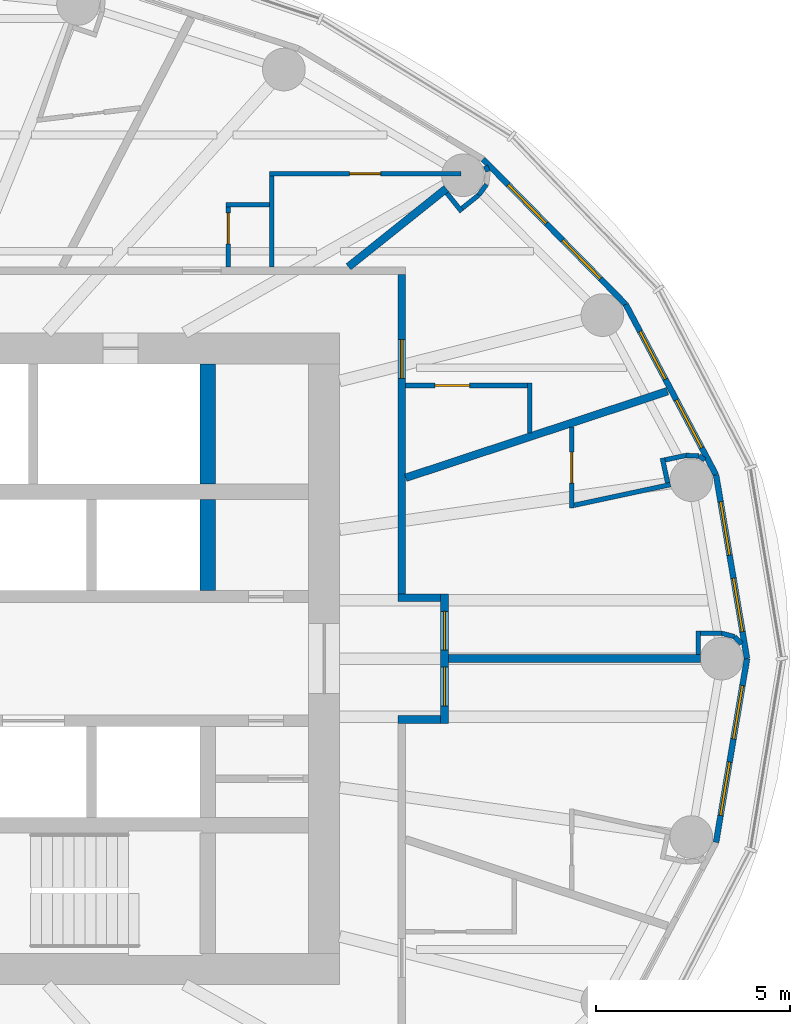
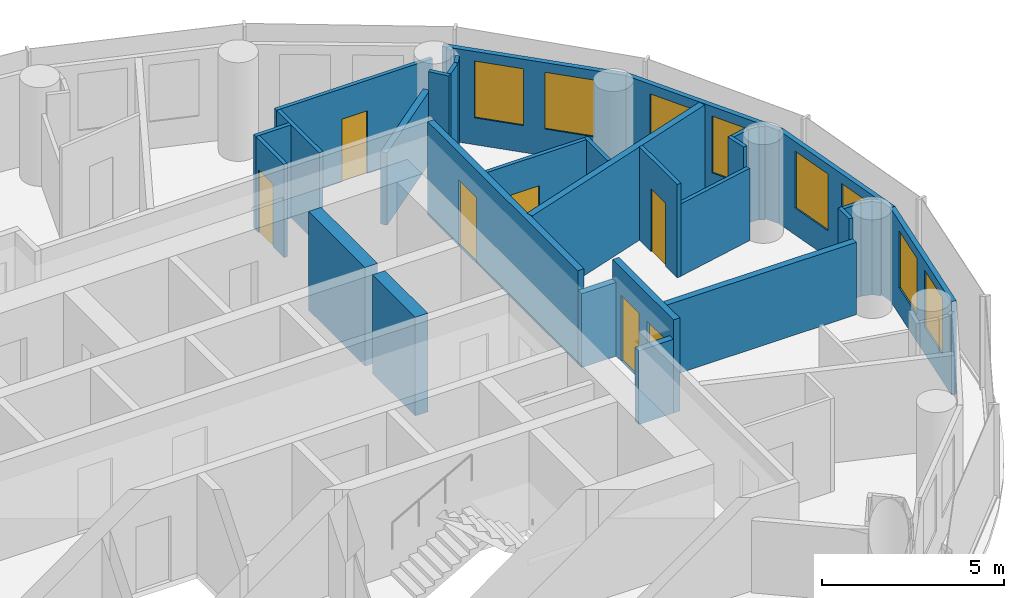
# One storey, part 11 of 16: 33 walls, 8 windows, 7 doors, 15 openings.
"""IFC4 building model written with IfcOpenShell, lengths in metres."""

import ifcopenshell
import ifcopenshell.guid

model = None  # the IFC model being written
_history = None  # IfcOwnerHistory: only IFC2X3 demands one
_inside = {}  # id of a spatial element -> (the spatial element, [elements in it])
_under = {}  # id of a project, library or spatial element -> (it, [spatial elements below it])
_declared = {}  # id of a project -> (the project, [libraries it declares])
_typed = {}  # id of a type object -> (the type object, [elements of that type])
_made_of = {}  # id of a material, layer set ... -> (it, [elements and type objects made of it])


def new_model(schema):
    """Start an empty IFC model of exactly this schema.

    Asked for "IFC4X3", IfcOpenShell would pick the latest addendum, in which some entities
    have other attributes; the version numbers below select the first issue.
    IFC2X3 requires an IfcOwnerHistory on every rooted entity: one is made here for all.
    """
    global model, _history
    if schema == "IFC4X3":
        model = ifcopenshell.file(schema_version=(4, 3, 0, 0))
    else:
        model = ifcopenshell.file(schema=schema)
    _inside.clear()
    _under.clear()
    _declared.clear()
    _typed.clear()
    _made_of.clear()
    _history = None
    if model.schema == "IFC2X3":
        org = make("IfcOrganization", Name="unknown")
        user = make(
            "IfcPersonAndOrganization",
            ThePerson=make("IfcPerson", FamilyName="unknown"),
            TheOrganization=org,
        )
        app = make(
            "IfcApplication",
            ApplicationDeveloper=org,
            Version="unknown",
            ApplicationFullName="unknown",
            ApplicationIdentifier="unknown",
        )
        _history = make(
            "IfcOwnerHistory",
            OwningUser=user,
            OwningApplication=app,
            ChangeAction="ADDED",
            CreationDate=0,
        )
    return model


def make(cls, **values):
    """One entity of the class cls with the attributes given. An attribute that is None is left unset."""
    return model.create_entity(
        cls, **{name: value for name, value in values.items() if value is not None}
    )


def rooted(cls, **values):
    """An entity with a GlobalId (a new one), such as an element, a storey or a relation."""
    return make(cls, GlobalId=ifcopenshell.guid.new(), OwnerHistory=_history, **values)


def si_unit(unit_type, name, prefix=None):
    """IfcSIUnit, for example si_unit("LENGTHUNIT", "METRE", prefix="MILLI")."""
    return make("IfcSIUnit", UnitType=unit_type, Prefix=prefix, Name=name)


def assignment(units):
    """IfcUnitAssignment: the units of a project."""
    return None if units is None else make("IfcUnitAssignment", Units=units)


def point(xyz):
    """IfcCartesianPoint."""
    return None if xyz is None else make("IfcCartesianPoint", Coordinates=xyz)


def direction(xyz):
    """IfcDirection."""
    return None if xyz is None else make("IfcDirection", DirectionRatios=xyz)


def frame(location, z_axis=None, x_axis=None):
    """IfcAxis2Placement3D, a coordinate frame: its origin and axes. An axis left out is left unset."""
    return make(
        "IfcAxis2Placement3D",
        Location=point(location),
        Axis=direction(z_axis),
        RefDirection=direction(x_axis),
    )


def frame_2d(location, x_axis=None):
    """IfcAxis2Placement2D, a coordinate frame in the plane: its origin and x axis."""
    return make(
        "IfcAxis2Placement2D", Location=point(location), RefDirection=direction(x_axis)
    )


def origin():
    """The frame at (0, 0, 0) with its axes left unset."""
    return frame((0.0, 0.0, 0.0))


def place(relative_to, where):
    """IfcLocalPlacement: puts the frame where relative to a parent placement (None: the world)."""
    return make(
        "IfcLocalPlacement", PlacementRelTo=relative_to, RelativePlacement=where
    )


def context(
    kind, dimensions, precision=None, world=None, true_north=None, identifier=None
):
    """IfcGeometricRepresentationContext, for example the 3D "Model" context."""
    return make(
        "IfcGeometricRepresentationContext",
        ContextIdentifier=identifier,
        ContextType=kind,
        CoordinateSpaceDimension=dimensions,
        Precision=precision,
        WorldCoordinateSystem=world,
        TrueNorth=true_north,
    )


def subcontext(parent, identifier, kind, view, scale=None):
    """IfcGeometricRepresentationSubContext, for example "Body" below "Model"."""
    return make(
        "IfcGeometricRepresentationSubContext",
        ContextIdentifier=identifier,
        ContextType=kind,
        ParentContext=parent,
        TargetScale=scale,
        TargetView=view,
    )


def project(units=None, contexts=None):
    """IfcProject with its units and contexts."""
    return rooted(
        "IfcProject",
        Name="project",
        RepresentationContexts=contexts,
        UnitsInContext=assignment(units),
    )


def spatial(cls, under=None, at=None, **own):
    """A site, building, storey or space (cls), placed at a placement, below another one or the project."""
    s = rooted(cls, ObjectPlacement=at, **own)
    if under is not None:
        _under.setdefault(under.id(), (under, []))[1].append(s)
    return s


def profile(cls, at=None, kind="AREA", **sizes):
    """A parametric profile (cls). Its sizes go by their IFC names, for example OverallWidth=200.0."""
    return make(cls, ProfileType=kind, Position=at, **sizes)


def rectangle(**sizes):
    """IfcRectangleProfileDef."""
    return profile("IfcRectangleProfileDef", **sizes)


def extrude(swept, where, along, depth):
    """IfcExtrudedAreaSolid: the profile swept, set in the frame where, extruded along a direction by depth."""
    return make(
        "IfcExtrudedAreaSolid",
        SweptArea=swept,
        Position=where,
        ExtrudedDirection=direction(along),
        Depth=depth,
    )


def shape(context_of_items, identifier, shape_type, items):
    """IfcShapeRepresentation: the items that make up one representation, for example the "Body"."""
    return make(
        "IfcShapeRepresentation",
        ContextOfItems=context_of_items,
        RepresentationIdentifier=identifier,
        RepresentationType=shape_type,
        Items=items,
    )


def material(Name=None, Category=None):
    """IfcMaterial."""
    return make("IfcMaterial", Name=Name, Category=Category)


def layer(
    of_material, thickness, ventilated=None, Name=None, Category=None, Priority=None
):
    """IfcMaterialLayer: one layer of a wall or slab, of a material (None: an air gap)."""
    return make(
        "IfcMaterialLayer",
        Material=of_material,
        LayerThickness=thickness,
        IsVentilated=ventilated,
        Name=Name,
        Category=Category,
        Priority=Priority,
    )


def layer_set(layers, Name=None):
    """IfcMaterialLayerSet."""
    return make("IfcMaterialLayerSet", MaterialLayers=layers, LayerSetName=Name)


def made_of(thing, what):
    """Note that an element or type object is made of a material, layer set ...; save() writes the relation."""
    if what is not None:
        _made_of.setdefault(what.id(), (what, []))[1].append(thing)
    return thing


def type_object(cls, material=None, **own):
    """A type object (cls), such as IfcWallType, which elements share."""
    return made_of(rooted(cls, **own), material)


def element(
    cls,
    number,
    at=None,
    inside=None,
    cuts=None,
    type_object=None,
    material=None,
    context=None,
    identifier="Body",
    shape_type=None,
    held_by="IfcProductDefinitionShape",
    body=None,
    shapes=None,
    **own,
):
    """One element of the class cls, such as IfcWall. Its Tag is "e" and its number.

    at: its placement. inside: the storey or other place that contains it. cuts: it is an
    opening in that element (IfcRelVoidsElement). A single representation is given by context,
    identifier, shape_type and body (its items); several are given by shapes. held_by: the class
    of the entity that holds the representations. save() writes the other relations.
    """
    e = rooted(cls, Tag="e%d" % number, ObjectPlacement=at, **own)
    if body is not None:
        shapes = [shape(context, identifier, shape_type, body)]
    if shapes is not None:
        e.Representation = make(held_by, Representations=shapes)
    if inside is not None:
        _inside.setdefault(inside.id(), (inside, []))[1].append(e)
    if cuts is not None:
        rooted(
            "IfcRelVoidsElement", RelatingBuildingElement=cuts, RelatedOpeningElement=e
        )
    if type_object is not None:
        _typed.setdefault(type_object.id(), (type_object, []))[1].append(e)
    return made_of(e, material)


def fill(opening, filler):
    """IfcRelFillsElement: the door or window that sits in an opening."""
    return rooted(
        "IfcRelFillsElement",
        RelatingOpeningElement=opening,
        RelatedBuildingElement=filler,
    )


def aggregate(whole, parts):
    """IfcRelAggregates: a whole, such as a stair, and the parts it consists of."""
    return rooted("IfcRelAggregates", RelatingObject=whole, RelatedObjects=parts)


def save(model, path):
    """Write the relations noted so far, then the file.

    IfcRelAggregates (storeys below a building ...), IfcRelContainedInSpatialStructure (elements
    in a storey), IfcRelDefinesByType, IfcRelAssociatesMaterial and IfcRelDeclares: one each for
    every whole, place, type object, material and project.
    """
    for whole, parts in _under.values():
        aggregate(whole, parts)
    for where, things in _inside.values():
        rooted(
            "IfcRelContainedInSpatialStructure",
            RelatedElements=things,
            RelatingStructure=where,
        )
    for kind, things in _typed.values():
        rooted("IfcRelDefinesByType", RelatedObjects=things, RelatingType=kind)
    for what, things in _made_of.values():
        rooted("IfcRelAssociatesMaterial", RelatedObjects=things, RelatingMaterial=what)
    for by, libraries in _declared.values():
        rooted("IfcRelDeclares", RelatingContext=by, RelatedDefinitions=libraries)
    model.write(path)


model = new_model("IFC4")

# Units and contexts
model_context = context("Model", 3, precision=1e-05, world=origin(), true_north=direction((0.0, 1.0)))
body_context = subcontext(model_context, "Body", "Model", "MODEL_VIEW")
ifc_project = project(units=[si_unit("LENGTHUNIT", "METRE"), si_unit("AREAUNIT", "SQUARE_METRE"), si_unit("VOLUMEUNIT", "CUBIC_METRE"), si_unit("PLANEANGLEUNIT", "RADIAN"), si_unit("MASSUNIT", "GRAM", prefix="KILO")], contexts=[model_context])

# Site, building, storey
site_placement = place(None, origin())
site = spatial("IfcSite", under=ifc_project, at=site_placement, CompositionType="ELEMENT")
building_placement = place(site_placement, origin())
building = spatial("IfcBuilding", under=site, at=building_placement, Name="Hankou Lantern Tower", CompositionType="ELEMENT")
storey_placement = place(building_placement, frame((0.0, 0.0, 150.0)))
storey = spatial("IfcBuildingStorey", under=building, at=storey_placement, Name="L39", CompositionType="ELEMENT", Elevation=150.0)

# Walls
ifc_material_1 = material(Name="Concrete C60", Category="concrete")
ifc_layer_1 = layer(ifc_material_1, 0.39990234375)
ifc_layer_set_1 = layer_set([ifc_layer_1], Name="Concrete C60")
wall_type_1 = type_object("IfcWallType", Name="CW4 CORE CROSS WALL 400", PredefinedType="SHEAR", material=ifc_layer_set_1)
wall_1_placement = place(storey_placement, frame((9.0, 4.5, 0.0), z_axis=(0.0, 0.0, 1.0), x_axis=(0.0, 1.0, 0.0)))
element("IfcWall", 1, at=wall_1_placement, inside=storey, type_object=wall_type_1, Name="Core strip wall L39", PredefinedType="SHEAR", context=body_context, shape_type="SweptSolid", body=[
    extrude(rectangle(XDim=3.10009765625, YDim=0.39990234375, at=frame_2d((1.550048828125, 0.0))), origin(), (0.0, 0.0, 1.0), 3.300048828125),
])
wall_2_placement = place(storey_placement, frame((9.0, 1.75, 0.0), z_axis=(0.0, 0.0, 1.0), x_axis=(0.0, 1.0, 0.0)))
element("IfcWall", 2, at=wall_2_placement, inside=storey, type_object=wall_type_1, Name="Core strip wall L39", PredefinedType="SHEAR", context=body_context, shape_type="SweptSolid", body=[
    extrude(rectangle(XDim=2.35009765625, YDim=0.39990234375, at=frame_2d((1.175048828125, 0.0))), origin(), (0.0, 0.0, 1.0), 3.300048828125),
])

# Wall, openings, windows
ifc_material_2 = material(Name="Aluminium spandrel panel on steel studs", Category="steel")
ifc_layer_2 = layer(ifc_material_2, 0.14990234375)
ifc_layer_set_2 = layer_set([ifc_layer_2], Name="Aluminium spandrel panel on steel studs")
wall_type_2 = type_object("IfcWallType", Name="EW1 INNER SKIN WALL 150", PredefinedType="ELEMENTEDWALL", material=ifc_layer_set_2)
wall_3_placement = place(storey_placement, frame((22.89990234375, 0.0, 0.0), z_axis=(0.0, 0.0, 1.0), x_axis=(-0.166162111254, 0.986098449843, 0.0)))
wall_3 = element("IfcWall", 3, at=wall_3_placement, inside=storey, type_object=wall_type_2, Name="Inner skin R01-R02 L39", PredefinedType="ELEMENTEDWALL", context=body_context, shape_type="SweptSolid", body=[
    extrude(rectangle(XDim=4.8046875, YDim=0.14990234375, at=frame_2d((2.40234375, 0.0))), origin(), (0.0, 0.0, 1.0), 3.1201171875),
])
opening_1_placement = place(wall_3_placement, frame((0.7021484375, 0.0, 0.89990234375)))
opening_1 = element("IfcOpeningElement", 4, at=opening_1_placement, cuts=wall_3, Name="Opening W3", PredefinedType="OPENING", context=body_context, shape_type="SweptSolid", body=[
    extrude(rectangle(XDim=1.39990234375, YDim=1.89990234375, at=frame_2d((0.699951171875, 0.949951171875))), frame((0.0, 0.0849609375, 0.0), z_axis=(0.0, -1.0, 0.0), x_axis=(1.0, 0.0, 0.0)), (0.0, 0.0, 1.0), 0.169921875),
])
opening_2_placement = place(wall_3_placement, frame((2.7021484375, 0.0, 0.89990234375)))
opening_2 = element("IfcOpeningElement", 5, at=opening_2_placement, cuts=wall_3, Name="Opening W3", PredefinedType="OPENING", context=body_context, shape_type="SweptSolid", body=[
    extrude(rectangle(XDim=1.39990234375, YDim=1.89990234375, at=frame_2d((0.699951171875, 0.949951171875))), frame((0.0, 0.0849609375, 0.0), z_axis=(0.0, -1.0, 0.0), x_axis=(1.0, 0.0, 0.0)), (0.0, 0.0, 1.0), 0.169921875),
])
ifc_material_3 = material(Name="Aluminium framed double glazed window", Category="aluminium")
window_type = type_object("IfcWindowType", Name="W3 GUEST ROOM WINDOW 1400X1900", PartitioningType="DOUBLE_PANEL_VERTICAL", PredefinedType="WINDOW", material=ifc_material_3)
window_1_placement = place(opening_1_placement, origin())
window_1 = element("IfcWindow", 6, at=window_1_placement, inside=storey, type_object=window_type, Name="Window R01.1 L39", OverallHeight=1.89990234375, OverallWidth=1.39990234375, PartitioningType="SINGLE_PANEL", PredefinedType="WINDOW", context=body_context, shape_type="SweptSolid", body=[
    extrude(rectangle(XDim=1.39990234375, YDim=1.89990234375, at=frame_2d((0.699951171875, 0.949951171875))), frame((0.0, 0.030029296875, 0.0), z_axis=(0.0, -1.0, 0.0), x_axis=(1.0, 0.0, 0.0)), (0.0, 0.0, 1.0), 0.06005859375),
])
fill(opening_1, window_1)
window_2_placement = place(opening_2_placement, origin())
window_2 = element("IfcWindow", 7, at=window_2_placement, inside=storey, type_object=window_type, Name="Window R01.2 L39", OverallHeight=1.89990234375, OverallWidth=1.39990234375, PartitioningType="SINGLE_PANEL", PredefinedType="WINDOW", context=body_context, shape_type="SweptSolid", body=[
    extrude(rectangle(XDim=1.39990234375, YDim=1.89990234375, at=frame_2d((0.699951171875, 0.949951171875))), frame((0.0, 0.030029296875, 0.0), z_axis=(0.0, -1.0, 0.0), x_axis=(1.0, 0.0, 0.0)), (0.0, 0.0, 1.0), 0.06005859375),
])
fill(opening_2, window_2)

wall_4_placement = place(storey_placement, frame((22.1015625, 4.73779296875, 0.0), z_axis=(0.0, 0.0, 1.0), x_axis=(-0.468428906714, 0.883501193748, 0.0)))
wall_4 = element("IfcWall", 8, at=wall_4_placement, inside=storey, type_object=wall_type_2, Name="Inner skin R02-R03 L39", PredefinedType="ELEMENTEDWALL", context=body_context, shape_type="SweptSolid", body=[
    extrude(rectangle(XDim=4.9736328125, YDim=0.14990234375, at=frame_2d((2.48681640625, 0.0))), origin(), (0.0, 0.0, 1.0), 3.1201171875),
])
opening_3_placement = place(wall_4_placement, frame((0.786865234375, 0.0, 0.89990234375)))
opening_3 = element("IfcOpeningElement", 9, at=opening_3_placement, cuts=wall_4, Name="Opening W3", PredefinedType="OPENING", context=body_context, shape_type="SweptSolid", body=[
    extrude(rectangle(XDim=1.39990234375, YDim=1.89990234375, at=frame_2d((0.699951171875, 0.949951171875))), frame((0.0, 0.0849609375, 0.0), z_axis=(0.0, -1.0, 0.0), x_axis=(1.0, 0.0, 0.0)), (0.0, 0.0, 1.0), 0.169921875),
])
opening_4_placement = place(wall_4_placement, frame((2.786865234375, 0.0, 0.89990234375)))
opening_4 = element("IfcOpeningElement", 10, at=opening_4_placement, cuts=wall_4, Name="Opening W3", PredefinedType="OPENING", context=body_context, shape_type="SweptSolid", body=[
    extrude(rectangle(XDim=1.39990234375, YDim=1.89990234375, at=frame_2d((0.699951171875, 0.949951171875))), frame((0.0, 0.0849609375, 0.0), z_axis=(0.0, -1.0, 0.0), x_axis=(1.0, 0.0, 0.0)), (0.0, 0.0, 1.0), 0.169921875),
])
window_3_placement = place(opening_3_placement, origin())
window_3 = element("IfcWindow", 11, at=window_3_placement, inside=storey, type_object=window_type, Name="Window R02.1 L39", OverallHeight=1.89990234375, OverallWidth=1.39990234375, PartitioningType="SINGLE_PANEL", PredefinedType="WINDOW", context=body_context, shape_type="SweptSolid", body=[
    extrude(rectangle(XDim=1.39990234375, YDim=1.89990234375, at=frame_2d((0.699951171875, 0.949951171875))), frame((0.0, 0.030029296875, 0.0), z_axis=(0.0, -1.0, 0.0), x_axis=(1.0, 0.0, 0.0)), (0.0, 0.0, 1.0), 0.06005859375),
])
fill(opening_3, window_3)
window_4_placement = place(opening_4_placement, origin())
window_4 = element("IfcWindow", 12, at=window_4_placement, inside=storey, type_object=window_type, Name="Window R02.2 L39", OverallHeight=1.89990234375, OverallWidth=1.39990234375, PartitioningType="SINGLE_PANEL", PredefinedType="WINDOW", context=body_context, shape_type="SweptSolid", body=[
    extrude(rectangle(XDim=1.39990234375, YDim=1.89990234375, at=frame_2d((0.699951171875, 0.949951171875))), frame((0.0, 0.030029296875, 0.0), z_axis=(0.0, -1.0, 0.0), x_axis=(1.0, 0.0, 0.0)), (0.0, 0.0, 1.0), 0.06005859375),
])
fill(opening_4, window_4)

wall_5_placement = place(storey_placement, frame((19.771728515625, 9.132080078125, 0.0), z_axis=(0.0, 0.0, 1.0), x_axis=(-0.700727467776, 0.71342905457, 0.0)))
wall_5 = element("IfcWall", 13, at=wall_5_placement, inside=storey, type_object=wall_type_2, Name="Inner skin R03-R04 L39", PredefinedType="ELEMENTEDWALL", context=body_context, shape_type="SweptSolid", body=[
    extrude(rectangle(XDim=5.247314453125, YDim=0.14990234375, at=frame_2d((2.62353515625, 0.0))), origin(), (0.0, 0.0, 1.0), 3.1201171875),
])
opening_5_placement = place(wall_5_placement, frame((0.923583984375, 0.0, 0.89990234375)))
opening_5 = element("IfcOpeningElement", 14, at=opening_5_placement, cuts=wall_5, Name="Opening W3", PredefinedType="OPENING", context=body_context, shape_type="SweptSolid", body=[
    extrude(rectangle(XDim=1.39990234375, YDim=1.89990234375, at=frame_2d((0.699951171875, 0.949951171875))), frame((0.0, 0.0849609375, 0.0), z_axis=(0.0, -1.0, 0.0), x_axis=(1.0, 0.0, 0.0)), (0.0, 0.0, 1.0), 0.169921875),
])
opening_6_placement = place(wall_5_placement, frame((2.923583984375, 0.0, 0.89990234375)))
opening_6 = element("IfcOpeningElement", 15, at=opening_6_placement, cuts=wall_5, Name="Opening W3", PredefinedType="OPENING", context=body_context, shape_type="SweptSolid", body=[
    extrude(rectangle(XDim=1.39990234375, YDim=1.89990234375, at=frame_2d((0.699951171875, 0.949951171875))), frame((0.0, 0.0849609375, 0.0), z_axis=(0.0, -1.0, 0.0), x_axis=(1.0, 0.0, 0.0)), (0.0, 0.0, 1.0), 0.169921875),
])
window_5_placement = place(opening_5_placement, origin())
window_5 = element("IfcWindow", 16, at=window_5_placement, inside=storey, type_object=window_type, Name="Window R03.1 L39", OverallHeight=1.89990234375, OverallWidth=1.39990234375, PartitioningType="SINGLE_PANEL", PredefinedType="WINDOW", context=body_context, shape_type="SweptSolid", body=[
    extrude(rectangle(XDim=1.39990234375, YDim=1.89990234375, at=frame_2d((0.699951171875, 0.949951171875))), frame((0.0, 0.030029296875, 0.0), z_axis=(0.0, -1.0, 0.0), x_axis=(1.0, 0.0, 0.0)), (0.0, 0.0, 1.0), 0.06005859375),
])
fill(opening_5, window_5)
window_6_placement = place(opening_6_placement, origin())
window_6 = element("IfcWindow", 17, at=window_6_placement, inside=storey, type_object=window_type, Name="Window R03.2 L39", OverallHeight=1.89990234375, OverallWidth=1.39990234375, PartitioningType="SINGLE_PANEL", PredefinedType="WINDOW", context=body_context, shape_type="SweptSolid", body=[
    extrude(rectangle(XDim=1.39990234375, YDim=1.89990234375, at=frame_2d((0.699951171875, 0.949951171875))), frame((0.0, 0.030029296875, 0.0), z_axis=(0.0, -1.0, 0.0), x_axis=(1.0, 0.0, 0.0)), (0.0, 0.0, 1.0), 0.06005859375),
])
fill(opening_6, window_6)

wall_6_placement = place(storey_placement, frame((22.1015625, -4.73779296875, 0.0), z_axis=(0.0, 0.0, 1.0), x_axis=(0.166162111254, 0.986098449843, 0.0)))
wall_6 = element("IfcWall", 18, at=wall_6_placement, inside=storey, type_object=wall_type_2, Name="Inner skin R24-R01 L39", PredefinedType="ELEMENTEDWALL", context=body_context, shape_type="SweptSolid", body=[
    extrude(rectangle(XDim=4.8046875, YDim=0.14990234375, at=frame_2d((2.40234375, 0.0))), origin(), (0.0, 0.0, 1.0), 3.1201171875),
])
opening_7_placement = place(wall_6_placement, frame((0.7021484375, 0.0, 0.89990234375)))
opening_7 = element("IfcOpeningElement", 19, at=opening_7_placement, cuts=wall_6, Name="Opening W3", PredefinedType="OPENING", context=body_context, shape_type="SweptSolid", body=[
    extrude(rectangle(XDim=1.39990234375, YDim=1.89990234375, at=frame_2d((0.699951171875, 0.949951171875))), frame((0.0, 0.0849609375, 0.0), z_axis=(0.0, -1.0, 0.0), x_axis=(1.0, 0.0, 0.0)), (0.0, 0.0, 1.0), 0.169921875),
])
opening_8_placement = place(wall_6_placement, frame((2.7021484375, 0.0, 0.89990234375)))
opening_8 = element("IfcOpeningElement", 20, at=opening_8_placement, cuts=wall_6, Name="Opening W3", PredefinedType="OPENING", context=body_context, shape_type="SweptSolid", body=[
    extrude(rectangle(XDim=1.39990234375, YDim=1.89990234375, at=frame_2d((0.699951171875, 0.949951171875))), frame((0.0, 0.0849609375, 0.0), z_axis=(0.0, -1.0, 0.0), x_axis=(1.0, 0.0, 0.0)), (0.0, 0.0, 1.0), 0.169921875),
])
window_7_placement = place(opening_7_placement, origin())
window_7 = element("IfcWindow", 21, at=window_7_placement, inside=storey, type_object=window_type, Name="Window R24.1 L39", OverallHeight=1.89990234375, OverallWidth=1.39990234375, PartitioningType="SINGLE_PANEL", PredefinedType="WINDOW", context=body_context, shape_type="SweptSolid", body=[
    extrude(rectangle(XDim=1.39990234375, YDim=1.89990234375, at=frame_2d((0.699951171875, 0.949951171875))), frame((0.0, 0.030029296875, 0.0), z_axis=(0.0, -1.0, 0.0), x_axis=(1.0, 0.0, 0.0)), (0.0, 0.0, 1.0), 0.06005859375),
])
fill(opening_7, window_7)
window_8_placement = place(opening_8_placement, origin())
window_8 = element("IfcWindow", 22, at=window_8_placement, inside=storey, type_object=window_type, Name="Window R24.2 L39", OverallHeight=1.89990234375, OverallWidth=1.39990234375, PartitioningType="SINGLE_PANEL", PredefinedType="WINDOW", context=body_context, shape_type="SweptSolid", body=[
    extrude(rectangle(XDim=1.39990234375, YDim=1.89990234375, at=frame_2d((0.699951171875, 0.949951171875))), frame((0.0, 0.030029296875, 0.0), z_axis=(0.0, -1.0, 0.0), x_axis=(1.0, 0.0, 0.0)), (0.0, 0.0, 1.0), 0.06005859375),
])
fill(opening_8, window_8)

# Walls
ifc_material_4 = material(Name="Masonry lightweight concrete block", Category="masonry")
ifc_layer_3 = layer(ifc_material_4, 0.199951171875)
ifc_layer_set_3 = layer_set([ifc_layer_3], Name="Masonry lightweight concrete block")
wall_type_3 = type_object("IfcWallType", Name="IW1 GUEST ROOM PARTY WALL 200", PredefinedType="PARTITIONING", material=ifc_layer_set_3)
wall_7_placement = place(storey_placement, frame((15.199951171875, 0.0, 0.0), z_axis=(0.0, 0.0, 1.0), x_axis=(1.0, 0.0, 0.0)))
element("IfcWall", 23, at=wall_7_placement, inside=storey, type_object=wall_type_3, Name="Party wall R01", PredefinedType="PARTITIONING", context=body_context, shape_type="SweptSolid", body=[
    extrude(rectangle(XDim=6.5, YDim=0.199951171875, at=frame_2d((3.25, 0.0))), origin(), (0.0, 0.0, 1.0), 2.419921875),
])
wall_8_placement = place(storey_placement, frame((14.10009765625, 4.661376953125, 0.0), z_axis=(0.0, 0.0, 1.0), x_axis=(0.949453216399, 0.313908569285, 0.0)))
element("IfcWall", 24, at=wall_8_placement, inside=storey, type_object=wall_type_3, Name="Party wall R02-R03", PredefinedType="PARTITIONING", context=body_context, shape_type="SweptSolid", body=[
    extrude(rectangle(XDim=7.108642578125, YDim=0.199951171875, at=frame_2d((3.55419921875, 0.0))), origin(), (0.0, 0.0, 1.0), 3.1201171875),
])
wall_9_placement = place(storey_placement, frame((12.625, 10.10009765625, 0.0), z_axis=(0.0, 0.0, 1.0), x_axis=(0.780876185034, 0.624685827954, 0.0)))
element("IfcWall", 25, at=wall_9_placement, inside=storey, type_object=wall_type_3, Name="Party wall R04", PredefinedType="PARTITIONING", context=body_context, shape_type="SweptSolid", body=[
    extrude(rectangle(XDim=3.229248046875, YDim=0.199951171875, at=frame_2d((1.61474609375, 0.0))), origin(), (0.0, 0.0, 1.0), 2.419921875),
])

# Wall, openings, doors
ifc_material_5 = material(Name="Masonry lightweight concrete block", Category="masonry")
ifc_layer_4 = layer(ifc_material_5, 0.199951171875)
ifc_layer_set_4 = layer_set([ifc_layer_4], Name="Masonry lightweight concrete block")
wall_type_4 = type_object("IfcWallType", Name="IW2 CORRIDOR WALL 200", PredefinedType="PARTITIONING", material=ifc_layer_set_4)
wall_10_placement = place(storey_placement, frame((15.10009765625, -1.669921875, 0.0), z_axis=(0.0, 0.0, 1.0), x_axis=(0.0, 1.0, 0.0)))
wall_10 = element("IfcWall", 26, at=wall_10_placement, inside=storey, type_object=wall_type_4, Name="Corridor alcove wall 3915-3916 back", PredefinedType="PARTITIONING", context=body_context, shape_type="SweptSolid", body=[
    extrude(rectangle(XDim=3.33984375, YDim=0.199951171875, at=frame_2d((1.669921875, 0.0))), origin(), (0.0, 0.0, 1.0), 3.1201171875),
])
opening_9_placement = place(wall_10_placement, frame((0.449951171875, 0.0, 0.0)))
opening_9 = element("IfcOpeningElement", 27, at=opening_9_placement, cuts=wall_10, Name="Opening D1", PredefinedType="OPENING", context=body_context, shape_type="SweptSolid", body=[
    extrude(rectangle(XDim=1.0, YDim=2.199951171875, at=frame_2d((0.5, 1.10009765625))), frame((0.0, 0.10986328125, 0.0), z_axis=(0.0, -1.0, 0.0), x_axis=(1.0, 0.0, 0.0)), (0.0, 0.0, 1.0), 0.219970703125),
])
opening_10_placement = place(wall_10_placement, frame((1.889892578125, 0.0, 0.0)))
opening_10 = element("IfcOpeningElement", 28, at=opening_10_placement, cuts=wall_10, Name="Opening D1", PredefinedType="OPENING", context=body_context, shape_type="SweptSolid", body=[
    extrude(rectangle(XDim=1.0, YDim=2.199951171875, at=frame_2d((0.5, 1.10009765625))), frame((0.0, 0.10986328125, 0.0), z_axis=(0.0, -1.0, 0.0), x_axis=(1.0, 0.0, 0.0)), (0.0, 0.0, 1.0), 0.219970703125),
])
ifc_material_6 = material(Name="Steel door leaf", Category="steel")
door_type_1 = type_object("IfcDoorType", Name="D1 GUEST ROOM DOOR 1000X2200", OperationType="SINGLE_SWING_LEFT", PredefinedType="DOOR", material=ifc_material_6)
door_1_placement = place(opening_9_placement, origin())
door_1 = element("IfcDoor", 29, at=door_1_placement, inside=storey, type_object=door_type_1, Name="Guest room door 3915", OperationType="SINGLE_SWING_LEFT", OverallHeight=2.199951171875, OverallWidth=1.0, PredefinedType="DOOR", context=body_context, shape_type="SweptSolid", body=[
    extrude(rectangle(XDim=1.0, YDim=2.199951171875, at=frame_2d((0.5, 1.10009765625))), frame((0.0, 0.02490234375, 0.0), z_axis=(0.0, -1.0, 0.0), x_axis=(1.0, 0.0, 0.0)), (0.0, 0.0, 1.0), 0.050048828125),
])
fill(opening_9, door_1)
door_2_placement = place(opening_10_placement, origin())
door_2 = element("IfcDoor", 30, at=door_2_placement, inside=storey, type_object=door_type_1, Name="Guest room door 3916", OperationType="SINGLE_SWING_RIGHT", OverallHeight=2.199951171875, OverallWidth=1.0, PredefinedType="DOOR", context=body_context, shape_type="SweptSolid", body=[
    extrude(rectangle(XDim=1.0, YDim=2.199951171875, at=frame_2d((0.5, 1.10009765625))), frame((0.0, 0.02490234375, 0.0), z_axis=(0.0, -1.0, 0.0), x_axis=(1.0, 0.0, 0.0)), (0.0, 0.0, 1.0), 0.050048828125),
])
fill(opening_10, door_2)

# Walls
for number, where, z_axis, x_axis, name in (
    (31, (13.89990234375, -1.570068359375, 0.0), (0.0, 0.0, 1.0), (1.0, 0.0, 0.0), "Corridor alcove wall 3915-3916 left"),
    (32, (13.89990234375, 1.570068359375, 0.0), (0.0, 0.0, 1.0), (1.0, 0.0, 0.0), "Corridor alcove wall 3915-3916 right"),
):
    element("IfcWall", number, at=place(storey_placement, frame(where, z_axis=z_axis, x_axis=x_axis)), inside=storey, type_object=wall_type_4, Name=name, PredefinedType="PARTITIONING", context=body_context, shape_type="SweptSolid", body=[
        extrude(rectangle(XDim=1.10009765625, YDim=0.199951171875, at=frame_2d((0.550048828125, 0.0))), origin(), (0.0, 0.0, 1.0), 2.469970703125),
    ])

# Wall, opening, door
wall_11_placement = place(storey_placement, frame((14.0, 1.669921875, 0.0), z_axis=(0.0, 0.0, 1.0), x_axis=(0.0, 1.0, 0.0)))
wall_11 = element("IfcWall", 33, at=wall_11_placement, inside=storey, type_object=wall_type_4, Name="Corridor wall east", PredefinedType="PARTITIONING", context=body_context, shape_type="SweptSolid", body=[
    extrude(rectangle(XDim=8.22998046875, YDim=0.199951171875, at=frame_2d((4.114990234375, 0.0))), origin(), (0.0, 0.0, 1.0), 3.1201171875),
])
opening_11_placement = place(wall_11_placement, frame((5.551513671875, 0.0, 0.0)))
opening_11 = element("IfcOpeningElement", 34, at=opening_11_placement, cuts=wall_11, Name="Opening D1", PredefinedType="OPENING", context=body_context, shape_type="SweptSolid", body=[
    extrude(rectangle(XDim=1.0, YDim=2.199951171875, at=frame_2d((0.5, 1.10009765625))), frame((0.0, 0.10986328125, 0.0), z_axis=(0.0, -1.0, 0.0), x_axis=(1.0, 0.0, 0.0)), (0.0, 0.0, 1.0), 0.219970703125),
])
door_3_placement = place(opening_11_placement, origin())
door_3 = element("IfcDoor", 35, at=door_3_placement, inside=storey, type_object=door_type_1, Name="Guest room door 3901", OperationType="SINGLE_SWING_RIGHT", OverallHeight=2.199951171875, OverallWidth=1.0, PredefinedType="DOOR", context=body_context, shape_type="SweptSolid", body=[
    extrude(rectangle(XDim=1.0, YDim=2.199951171875, at=frame_2d((0.5, 1.10009765625))), frame((0.0, 0.02490234375, 0.0), z_axis=(0.0, -1.0, 0.0), x_axis=(1.0, 0.0, 0.0)), (0.0, 0.0, 1.0), 0.050048828125),
])
fill(opening_11, door_3)

# Wall
ifc_material_7 = material(Name="Masonry lightweight concrete block", Category="masonry")
ifc_layer_5 = layer(ifc_material_7, 0.1201171875)
ifc_layer_set_5 = layer_set([ifc_layer_5], Name="Masonry lightweight concrete block")
wall_type_5 = type_object("IfcWallType", Name="IW3 BATHROOM WALL 120", PredefinedType="PARTITIONING", material=ifc_layer_set_5)
wall_12_placement = place(storey_placement, frame((17.300048828125, 5.8193359375, 0.0), z_axis=(0.0, 0.0, 1.0), x_axis=(0.0, 1.0, 0.0)))
element("IfcWall", 36, at=wall_12_placement, inside=storey, type_object=wall_type_5, Name="Box wall 3901 1", PredefinedType="PARTITIONING", context=body_context, shape_type="SweptSolid", body=[
    extrude(rectangle(XDim=1.2822265625, YDim=0.1201171875, at=frame_2d((0.64111328125, 0.0))), origin(), (0.0, 0.0, 1.0), 3.1201171875),
])

# Wall, opening, door
wall_13_placement = place(storey_placement, frame((14.10009765625, 7.04150390625, 0.0), z_axis=(0.0, 0.0, 1.0), x_axis=(1.0, 0.0, 0.0)))
wall_13 = element("IfcWall", 37, at=wall_13_placement, inside=storey, type_object=wall_type_5, Name="Box wall 3901 1", PredefinedType="PARTITIONING", context=body_context, shape_type="SweptSolid", body=[
    extrude(rectangle(XDim=3.139892578125, YDim=0.1201171875, at=frame_2d((1.56982421875, 0.0))), origin(), (0.0, 0.0, 1.0), 3.1201171875),
])
opening_12_placement = place(wall_13_placement, frame((0.75, 0.0, 0.0)))
opening_12 = element("IfcOpeningElement", 38, at=opening_12_placement, cuts=wall_13, Name="Opening D26", PredefinedType="OPENING", context=body_context, shape_type="SweptSolid", body=[
    extrude(rectangle(XDim=0.89990234375, YDim=2.10009765625, at=frame_2d((0.449951171875, 1.050048828125))), frame((0.0, 0.070068359375, 0.0), z_axis=(0.0, -1.0, 0.0), x_axis=(1.0, 0.0, 0.0)), (0.0, 0.0, 1.0), 0.14013671875),
])
ifc_material_8 = material(Name="Timber door leaf", Category="wood")
door_type_2 = type_object("IfcDoorType", Name="D26 ACCESSIBLE BATHROOM DOOR 900X2100", OperationType="SLIDING_TO_LEFT", PredefinedType="DOOR", material=ifc_material_8)
door_4_placement = place(opening_12_placement, origin())
door_4 = element("IfcDoor", 39, at=door_4_placement, inside=storey, type_object=door_type_2, Name="Accessible bathroom 3901 door", OperationType="SLIDING_TO_LEFT", OverallHeight=2.10009765625, OverallWidth=0.89990234375, PredefinedType="DOOR", context=body_context, shape_type="SweptSolid", body=[
    extrude(rectangle(XDim=0.89990234375, YDim=2.10009765625, at=frame_2d((0.449951171875, 1.050048828125))), frame((0.0, 0.02490234375, 0.0), z_axis=(0.0, -1.0, 0.0), x_axis=(1.0, 0.0, 0.0)), (0.0, 0.0, 1.0), 0.050048828125),
])
fill(opening_12, door_4)

wall_14_placement = place(storey_placement, frame((15.52490234375, 12.5, 0.0), z_axis=(0.0, 0.0, 1.0), x_axis=(-1.0, 0.0, 0.0)))
wall_14 = element("IfcWall", 40, at=wall_14_placement, inside=storey, type_object=wall_type_5, Name="Box wall 3902 1", PredefinedType="PARTITIONING", context=body_context, shape_type="SweptSolid", body=[
    extrude(rectangle(XDim=4.93994140625, YDim=0.1201171875, at=frame_2d((2.469970703125, 0.0))), origin(), (0.0, 0.0, 1.0), 3.1201171875),
])
opening_13_placement = place(wall_14_placement, frame((2.070068359375, 0.0, 0.0)))
opening_13 = element("IfcOpeningElement", 41, at=opening_13_placement, cuts=wall_14, Name="Opening D3", PredefinedType="OPENING", context=body_context, shape_type="SweptSolid", body=[
    extrude(rectangle(XDim=0.800048828125, YDim=2.10009765625, at=frame_2d((0.39990234375, 1.050048828125))), frame((0.0, 0.070068359375, 0.0), z_axis=(0.0, -1.0, 0.0), x_axis=(1.0, 0.0, 0.0)), (0.0, 0.0, 1.0), 0.14013671875),
])
ifc_material_9 = material(Name="Timber door leaf", Category="wood")
door_type_3 = type_object("IfcDoorType", Name="D3 BATHROOM DOOR 800X2100", OperationType="SINGLE_SWING_LEFT", PredefinedType="DOOR", material=ifc_material_9)
door_5_placement = place(opening_13_placement, origin())
door_5 = element("IfcDoor", 42, at=door_5_placement, inside=storey, type_object=door_type_3, Name="En-suite bathroom 3902 door", OperationType="SINGLE_SWING_LEFT", OverallHeight=2.10009765625, OverallWidth=0.800048828125, PredefinedType="DOOR", context=body_context, shape_type="SweptSolid", body=[
    extrude(rectangle(XDim=0.800048828125, YDim=2.10009765625, at=frame_2d((0.39990234375, 1.050048828125))), frame((0.0, 0.02490234375, 0.0), z_axis=(0.0, -1.0, 0.0), x_axis=(1.0, 0.0, 0.0)), (0.0, 0.0, 1.0), 0.050048828125),
])
fill(opening_13, door_5)

# Walls
wall_15_placement = place(storey_placement, frame((10.64501953125, 10.10009765625, 0.0), z_axis=(0.0, 0.0, 1.0), x_axis=(0.0, 1.0, 0.0)))
element("IfcWall", 43, at=wall_15_placement, inside=storey, type_object=wall_type_5, Name="Box wall 3902 1", PredefinedType="PARTITIONING", context=body_context, shape_type="SweptSolid", body=[
    extrude(rectangle(XDim=2.33984375, YDim=0.1201171875, at=frame_2d((1.169921875, 0.0))), origin(), (0.0, 0.0, 1.0), 3.1201171875),
])
wall_16_placement = place(storey_placement, frame((10.5849609375, 11.699951171875, 0.0), z_axis=(0.0, 0.0, 1.0), x_axis=(-1.0, 0.0, 0.0)))
element("IfcWall", 44, at=wall_16_placement, inside=storey, type_object=wall_type_5, Name="Box wall 3902 2", PredefinedType="PARTITIONING", context=body_context, shape_type="SweptSolid", body=[
    extrude(rectangle(XDim=1.119873046875, YDim=0.1201171875, at=frame_2d((0.56005859375, 0.0))), origin(), (0.0, 0.0, 1.0), 3.1201171875),
])

# Wall, opening, door
wall_17_placement = place(storey_placement, frame((9.52490234375, 10.10009765625, 0.0), z_axis=(0.0, 0.0, 1.0), x_axis=(0.0, 1.0, 0.0)))
wall_17 = element("IfcWall", 45, at=wall_17_placement, inside=storey, type_object=wall_type_5, Name="Box wall 3902 2", PredefinedType="PARTITIONING", context=body_context, shape_type="SweptSolid", body=[
    extrude(rectangle(XDim=1.539794921875, YDim=0.1201171875, at=frame_2d((0.77001953125, 0.0))), origin(), (0.0, 0.0, 1.0), 3.1201171875),
])
opening_14_placement = place(wall_17_placement, frame((0.590087890625, 0.0, 0.0)))
opening_14 = element("IfcOpeningElement", 46, at=opening_14_placement, cuts=wall_17, Name="Opening D3", PredefinedType="OPENING", context=body_context, shape_type="SweptSolid", body=[
    extrude(rectangle(XDim=0.800048828125, YDim=2.10009765625, at=frame_2d((0.39990234375, 1.050048828125))), frame((0.0, 0.070068359375, 0.0), z_axis=(0.0, -1.0, 0.0), x_axis=(1.0, 0.0, 0.0)), (0.0, 0.0, 1.0), 0.14013671875),
])
door_6_placement = place(opening_14_placement, origin())
door_6 = element("IfcDoor", 47, at=door_6_placement, inside=storey, type_object=door_type_3, Name="En-suite WC 3902 door", OperationType="SINGLE_SWING_LEFT", OverallHeight=2.10009765625, OverallWidth=0.800048828125, PredefinedType="DOOR", context=body_context, shape_type="SweptSolid", body=[
    extrude(rectangle(XDim=0.800048828125, YDim=2.10009765625, at=frame_2d((0.39990234375, 1.050048828125))), frame((0.0, 0.02490234375, 0.0), z_axis=(0.0, -1.0, 0.0), x_axis=(1.0, 0.0, 0.0)), (0.0, 0.0, 1.0), 0.050048828125),
])
fill(opening_14, door_6)

wall_18_placement = place(storey_placement, frame((18.380859375, 5.971435546875, 0.0), z_axis=(0.0, 0.0, 1.0), x_axis=(0.000934142516, -0.999999563689, 0.0)))
wall_18 = element("IfcWall", 48, at=wall_18_placement, inside=storey, type_object=wall_type_5, Name="Box wall 3916 1", PredefinedType="PARTITIONING", context=body_context, shape_type="SweptSolid", body=[
    extrude(rectangle(XDim=2.0908203125, YDim=0.1201171875, at=frame_2d((1.04541015625, 0.0))), origin(), (0.0, 0.0, 1.0), 3.1201171875),
])
opening_15_placement = place(wall_18_placement, frame((0.6455078125, 0.0, 0.0)))
opening_15 = element("IfcOpeningElement", 49, at=opening_15_placement, cuts=wall_18, Name="Opening D3", PredefinedType="OPENING", context=body_context, shape_type="SweptSolid", body=[
    extrude(rectangle(XDim=0.800048828125, YDim=2.10009765625, at=frame_2d((0.39990234375, 1.050048828125))), frame((0.0, 0.070068359375, 0.0), z_axis=(0.0, -1.0, 0.0), x_axis=(1.0, 0.0, 0.0)), (0.0, 0.0, 1.0), 0.14013671875),
])
door_7_placement = place(opening_15_placement, origin())
door_7 = element("IfcDoor", 50, at=door_7_placement, inside=storey, type_object=door_type_3, Name="En-suite bathroom 3916 door", OperationType="SINGLE_SWING_RIGHT", OverallHeight=2.10009765625, OverallWidth=0.800048828125, PredefinedType="DOOR", context=body_context, shape_type="SweptSolid", body=[
    extrude(rectangle(XDim=0.800048828125, YDim=2.10009765625, at=frame_2d((0.39990234375, 1.050048828125))), frame((0.0, 0.02490234375, 0.0), z_axis=(0.0, -1.0, 0.0), x_axis=(1.0, 0.0, 0.0)), (0.0, 0.0, 1.0), 0.050048828125),
])
fill(opening_15, door_7)

# Walls
wall_19_placement = place(storey_placement, frame((18.44140625, 3.953125, 0.0), z_axis=(0.0, 0.0, 1.0), x_axis=(0.977801007461, 0.209535652833, 0.0)))
element("IfcWall", 51, at=wall_19_placement, inside=storey, type_object=wall_type_5, Name="Box wall 3916 2", PredefinedType="PARTITIONING", context=body_context, shape_type="SweptSolid", body=[
    extrude(rectangle(XDim=2.5400390625, YDim=0.1201171875, at=frame_2d((1.27001953125, 0.0))), origin(), (0.0, 0.0, 1.0), 2.419921875),
])
wall_20_placement = place(storey_placement, frame((20.853759765625, 4.531494140625, 0.0), z_axis=(0.0, 0.0, 1.0), x_axis=(-0.209631346779, 0.977780496046, 0.0)))
element("IfcWall", 52, at=wall_20_placement, inside=storey, type_object=wall_type_5, Name="Column casing 3916 return", PredefinedType="PARTITIONING", context=body_context, shape_type="SweptSolid", body=[
    extrude(rectangle(XDim=0.652099609375, YDim=0.1201171875, at=frame_2d((0.326171875, 0.0))), origin(), (0.0, 0.0, 1.0), 3.1201171875),
])
wall_21_placement = place(storey_placement, frame((20.788330078125, 5.123291015625, 0.0), z_axis=(0.0, 0.0, 1.0), x_axis=(0.977789415726, 0.209589738521, 0.0)))
element("IfcWall", 53, at=wall_21_placement, inside=storey, type_object=wall_type_5, Name="Column casing 3916", PredefinedType="PARTITIONING", context=body_context, shape_type="SweptSolid", body=[
    extrude(rectangle(XDim=0.5498046875, YDim=0.1201171875, at=frame_2d((0.27490234375, 0.0))), origin(), (0.0, 0.0, 1.0), 3.1201171875),
])
wall_22_placement = place(storey_placement, frame((21.325927734375, 5.238525390625, 0.0), z_axis=(0.0, 0.0, 1.0), x_axis=(0.998719689441, -0.050586380797, 0.0)))
element("IfcWall", 54, at=wall_22_placement, inside=storey, type_object=wall_type_5, Name="Column casing 3916", PredefinedType="PARTITIONING", context=body_context, shape_type="SweptSolid", body=[
    extrude(rectangle(XDim=0.337890625, YDim=0.1201171875, at=frame_2d((0.1689453125, 0.0))), origin(), (0.0, 0.0, 1.0), 3.1201171875),
])
wall_23_placement = place(storey_placement, frame((21.663330078125, 5.221435546875, 0.0), z_axis=(0.0, 0.0, 1.0), x_axis=(0.839279022252, -0.543700949795, 0.0)))
element("IfcWall", 55, at=wall_23_placement, inside=storey, type_object=wall_type_5, Name="Column casing 3916", PredefinedType="PARTITIONING", context=body_context, shape_type="SweptSolid", body=[
    extrude(rectangle(XDim=0.18017578125, YDim=0.1201171875, at=frame_2d((0.090087890625, 0.0))), origin(), (0.0, 0.0, 1.0), 3.1201171875),
])
ifc_material_10 = material(Name="Masonry lightweight concrete block", Category="masonry")
ifc_layer_6 = layer(ifc_material_10, 0.1201171875)
ifc_layer_set_6 = layer_set([ifc_layer_6], Name="Masonry lightweight concrete block")
wall_type_6 = type_object("IfcWallType", Name="IW4 PARTITION 120", PredefinedType="PARTITIONING", material=ifc_layer_set_6)
wall_24_placement = place(storey_placement, frame((21.639892578125, 0.10009765625, 0.0), z_axis=(0.0, 0.0, 1.0), x_axis=(0.0, 1.0, 0.0)))
element("IfcWall", 56, at=wall_24_placement, inside=storey, type_object=wall_type_6, Name="Column casing R01 return", PredefinedType="PARTITIONING", context=body_context, shape_type="SweptSolid", body=[
    extrude(rectangle(XDim=0.612060546875, YDim=0.1201171875, at=frame_2d((0.30615234375, 0.0))), origin(), (0.0, 0.0, 1.0), 3.1201171875),
])
wall_25_placement = place(storey_placement, frame((21.699951171875, 0.65234375, 0.0), z_axis=(0.0, 0.0, 1.0), x_axis=(1.0, 0.0, 0.0)))
element("IfcWall", 57, at=wall_25_placement, inside=storey, type_object=wall_type_6, Name="Column casing R01", PredefinedType="PARTITIONING", context=body_context, shape_type="SweptSolid", body=[
    extrude(rectangle(XDim=0.550048828125, YDim=0.1201171875, at=frame_2d((0.27490234375, 0.0))), origin(), (0.0, 0.0, 1.0), 3.1201171875),
])
wall_26_placement = place(storey_placement, frame((22.25, 0.65234375, 0.0), z_axis=(0.0, 0.0, 1.0), x_axis=(0.965922233104, -0.258832454679, 0.0)))
element("IfcWall", 58, at=wall_26_placement, inside=storey, type_object=wall_type_6, Name="Column casing R01", PredefinedType="PARTITIONING", context=body_context, shape_type="SweptSolid", body=[
    extrude(rectangle(XDim=0.337646484375, YDim=0.1201171875, at=frame_2d((0.1689453125, 0.0))), origin(), (0.0, 0.0, 1.0), 3.1201171875),
])
wall_27_placement = place(storey_placement, frame((22.576171875, 0.56494140625, 0.0), z_axis=(0.0, 0.0, 1.0), x_axis=(0.706639272724, -0.707573980757, 0.0)))
element("IfcWall", 59, at=wall_27_placement, inside=storey, type_object=wall_type_6, Name="Column casing R01", PredefinedType="PARTITIONING", context=body_context, shape_type="SweptSolid", body=[
    extrude(rectangle(XDim=0.26123046875, YDim=0.1201171875, at=frame_2d((0.130615234375, 0.0))), origin(), (0.0, 0.0, 1.0), 3.1201171875),
])
wall_28_placement = place(storey_placement, frame((15.162353515625, 12.001708984375, 0.0), z_axis=(0.0, 0.0, 1.0), x_axis=(0.624597762427, -0.780946627607, 0.0)))
element("IfcWall", 60, at=wall_28_placement, inside=storey, type_object=wall_type_6, Name="Column casing R04 return", PredefinedType="PARTITIONING", context=body_context, shape_type="SweptSolid", body=[
    extrude(rectangle(XDim=0.612060546875, YDim=0.1201171875, at=frame_2d((0.30615234375, 0.0))), origin(), (0.0, 0.0, 1.0), 3.1201171875),
])
wall_29_placement = place(storey_placement, frame((15.55419921875, 11.60791015625, 0.0), z_axis=(0.0, 0.0, 1.0), x_axis=(0.780695577787, 0.624911525597, 0.0)))
element("IfcWall", 61, at=wall_29_placement, inside=storey, type_object=wall_type_6, Name="Column casing R04", PredefinedType="PARTITIONING", context=body_context, shape_type="SweptSolid", body=[
    extrude(rectangle(XDim=0.550048828125, YDim=0.1201171875, at=frame_2d((0.27490234375, 0.0))), origin(), (0.0, 0.0, 1.0), 3.1201171875),
])
wall_30_placement = place(storey_placement, frame((15.983642578125, 11.95166015625, 0.0), z_axis=(0.0, 0.0, 1.0), x_axis=(0.592335221171, 0.805691619517, 0.0)))
element("IfcWall", 62, at=wall_30_placement, inside=storey, type_object=wall_type_6, Name="Column casing R04", PredefinedType="PARTITIONING", context=body_context, shape_type="SweptSolid", body=[
    extrude(rectangle(XDim=0.337646484375, YDim=0.1201171875, at=frame_2d((0.1689453125, 0.0))), origin(), (0.0, 0.0, 1.0), 3.1201171875),
])
wall_31_placement = place(storey_placement, frame((16.220947265625, 12.55908203125, 0.0), z_axis=(0.0, 0.0, 1.0), x_axis=(-0.401064416249, 0.916049853457, 0.0)))
element("IfcWall", 63, at=wall_31_placement, inside=storey, type_object=wall_type_6, Name="Column casing R04", PredefinedType="PARTITIONING", context=body_context, shape_type="SweptSolid", body=[
    extrude(rectangle(XDim=0.156494140625, YDim=0.1201171875, at=frame_2d((0.078125, 0.0))), origin(), (0.0, 0.0, 1.0), 3.1201171875),
])

save(model, "model.ifc")
